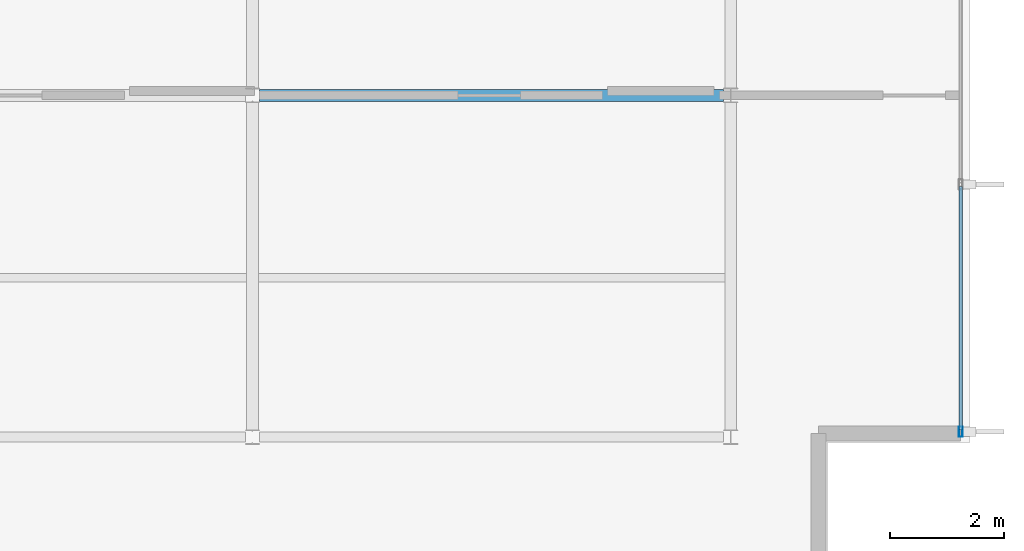
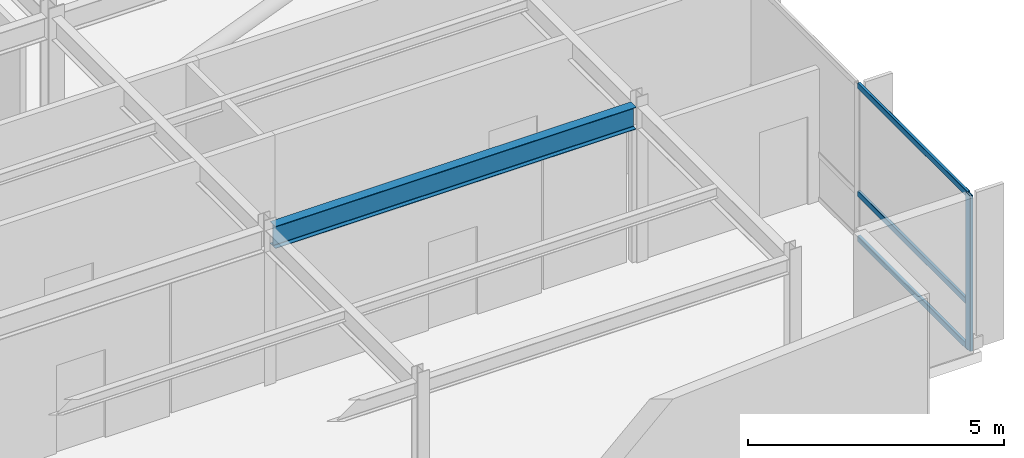
# One storey, part 6 of 19: 4 members, 1 beam, 1 element without a shape of its own.
"""IFC4 building model written with IfcOpenShell, lengths in metres."""

from ifc_helpers import new_model, si_unit, direction, frame, origin, origin_2d, place, context, subcontext, project, spatial, hollow_rectangle, i_section, extrude, material, layer, layer_set, material_profile, profile_set, type_object, element, aggregate, save


model = new_model("IFC4")

# Units and contexts
model_context = context("Model", 3, precision=1e-05, world=origin(), true_north=direction((0.0, 1.0)))
body_context = subcontext(model_context, "Body", "Model", "MODEL_VIEW")
ifc_project = project(units=[si_unit("LENGTHUNIT", "METRE"), si_unit("AREAUNIT", "SQUARE_METRE"), si_unit("VOLUMEUNIT", "CUBIC_METRE"), si_unit("PLANEANGLEUNIT", "RADIAN"), si_unit("MASSUNIT", "GRAM", prefix="KILO")], contexts=[model_context])

# Site, building, storey
site_placement = place(None, origin())
site = spatial("IfcSite", under=ifc_project, at=site_placement, CompositionType="ELEMENT")
building_placement = place(site_placement, origin())
building = spatial("IfcBuilding", under=site, at=building_placement, Name="Varnakote Quay Hospital", CompositionType="ELEMENT")
storey_placement = place(building_placement, frame((0.0, 0.0, 240.75)))
storey = spatial("IfcBuildingStorey", under=building, at=storey_placement, Name="L59", CompositionType="ELEMENT", Elevation=240.75)

# Beam
ifc_material_1 = material(Name="Structural steel AS/NZS 3679.1 Grade 350 L0 (fy 340 MPa)", Category="steel")
ifc_material_profile_1 = material_profile(ifc_material_1, i_section(OverallWidth=0.208984375, OverallDepth=0.528076171875, WebThickness=0.009521484375, FlangeThickness=0.01318359375, FilletRadius=0.013916015625, at=origin_2d()), Name="530UB82.0")
ifc_profile_set_1 = profile_set([ifc_material_profile_1], Name="Structural steel AS/NZS 3679.1 Grade 350 L0 (fy 340 MPa)")
beam_type = type_object("IfcBeamType", Name="BM-STL-530UB82-0", PredefinedType="BEAM", material=ifc_profile_set_1)
beam_placement = place(storey_placement, frame((33.72705078125, 12.0, 3.446044921875), z_axis=(1.0, 0.0, 0.0), x_axis=(0.0, 1.0, 0.0)))
element("IfcBeam", 1, at=beam_placement, inside=storey, type_object=beam_type, Name="L59 Primary Floor Beam", PredefinedType="BEAM", context=body_context, shape_type="SweptSolid", body=[
    extrude(i_section(OverallWidth=0.208984375, OverallDepth=0.528076171875, WebThickness=0.009521484375, FlangeThickness=0.01318359375, FilletRadius=0.013916015625, at=origin_2d()), origin(), (0.0, 0.0, 1.0), 8.14599609375),
])

# Curtain wall, members
ifc_material_2 = material(Name="Anodised aluminium 6063-T6 Bronze", Category="aluminium")
ifc_layer = layer(ifc_material_2, 0.235107421875)
ifc_layer_set = layer_set([ifc_layer], Name="Anodised aluminium 6063-T6 Bronze")
curtain_wall_type = type_object("IfcCurtainWallType", Name="CW-SYS-5", PredefinedType="NOTDEFINED", material=ifc_layer_set)
curtain_wall_placement = place(storey_placement, origin())
curtain_wall = element("IfcCurtainWall", 2, at=curtain_wall_placement, inside=storey, type_object=curtain_wall_type, Name="L59 Unitised Bronze Curtain Wall 1", PredefinedType="NOTDEFINED")
ifc_material_3 = material(Name="Anodised aluminium 6063-T6 Bronze", Category="aluminium")
ifc_material_profile_2 = material_profile(ifc_material_3, hollow_rectangle(XDim=0.06494140625, YDim=0.179931640625, WallThickness=0.00390625, InnerFilletRadius=0.00390625, OuterFilletRadius=0.008056640625, at=origin_2d()), Name="CW-MULL-180x65")
ifc_profile_set_2 = profile_set([ifc_material_profile_2], Name="Anodised aluminium 6063-T6 Bronze")
member_type_1 = type_object("IfcMemberType", Name="CW-MULL-180x65", PredefinedType="MULLION", material=ifc_profile_set_2)
member_1_placement = place(storey_placement, frame((46.0400390625, 6.092529296875, 0.0), z_axis=(0.0, 0.0, 1.0), x_axis=(-1.0, 0.0, 0.0)))
member_1 = element("IfcMember", 3, at=member_1_placement, type_object=member_type_1, Name="-5-L59-1 mullion 1", PredefinedType="MULLION", context=body_context, shape_type="SweptSolid", body=[
    extrude(hollow_rectangle(XDim=0.06494140625, YDim=0.179931640625, WallThickness=0.00390625, InnerFilletRadius=0.00390625, OuterFilletRadius=0.008056640625, at=origin_2d()), origin(), (0.0, 0.0, 1.0), 3.7099609375),
])
ifc_material_4 = material(Name="Anodised aluminium 6063-T6 Bronze", Category="aluminium")
ifc_material_profile_3 = material_profile(ifc_material_4, hollow_rectangle(XDim=0.06494140625, YDim=0.139892578125, WallThickness=0.00390625, InnerFilletRadius=0.00390625, OuterFilletRadius=0.007568359375, at=origin_2d()), Name="CW-TRAN-140x65")
ifc_profile_set_3 = profile_set([ifc_material_profile_3], Name="Anodised aluminium 6063-T6 Bronze")
member_type_2 = type_object("IfcMemberType", Name="CW-TRAN-140x65", PredefinedType="USERDEFINED", material=ifc_profile_set_3)
member_2_placement = place(storey_placement, frame((46.0400390625, 6.125, 0.032470703125), z_axis=(0.0, 1.0, 0.0), x_axis=(-1.0, 0.0, 0.0)))
member_2 = element("IfcMember", 4, at=member_2_placement, type_object=member_type_2, Name="-5-L59-1 transom 1.1", ObjectType="TRANSOM", PredefinedType="USERDEFINED", context=body_context, shape_type="SweptSolid", body=[
    extrude(hollow_rectangle(XDim=0.06494140625, YDim=0.139892578125, WallThickness=0.00390625, InnerFilletRadius=0.00390625, OuterFilletRadius=0.007568359375, at=origin_2d()), origin(), (0.0, 0.0, 1.0), 4.278564453125),
])
member_3_placement = place(storey_placement, frame((46.0400390625, 6.125, 1.10009765625), z_axis=(0.0, 1.0, 0.0), x_axis=(-1.0, 0.0, 0.0)))
member_3 = element("IfcMember", 5, at=member_3_placement, type_object=member_type_2, Name="-5-L59-1 transom 1.2", ObjectType="TRANSOM", PredefinedType="USERDEFINED", context=body_context, shape_type="SweptSolid", body=[
    extrude(hollow_rectangle(XDim=0.06494140625, YDim=0.139892578125, WallThickness=0.00390625, InnerFilletRadius=0.00390625, OuterFilletRadius=0.007568359375, at=origin_2d()), origin(), (0.0, 0.0, 1.0), 4.278564453125),
])
member_4_placement = place(storey_placement, frame((46.0400390625, 6.125, 3.677490234375), z_axis=(0.0, 1.0, 0.0), x_axis=(-1.0, 0.0, 0.0)))
member_4 = element("IfcMember", 6, at=member_4_placement, type_object=member_type_2, Name="-5-L59-1 transom 1.3", ObjectType="TRANSOM", PredefinedType="USERDEFINED", context=body_context, shape_type="SweptSolid", body=[
    extrude(hollow_rectangle(XDim=0.06494140625, YDim=0.139892578125, WallThickness=0.00390625, InnerFilletRadius=0.00390625, OuterFilletRadius=0.007568359375, at=origin_2d()), origin(), (0.0, 0.0, 1.0), 4.278564453125),
])
aggregate(curtain_wall, [member_1, member_2, member_3, member_4])

save(model, "model.ifc")
